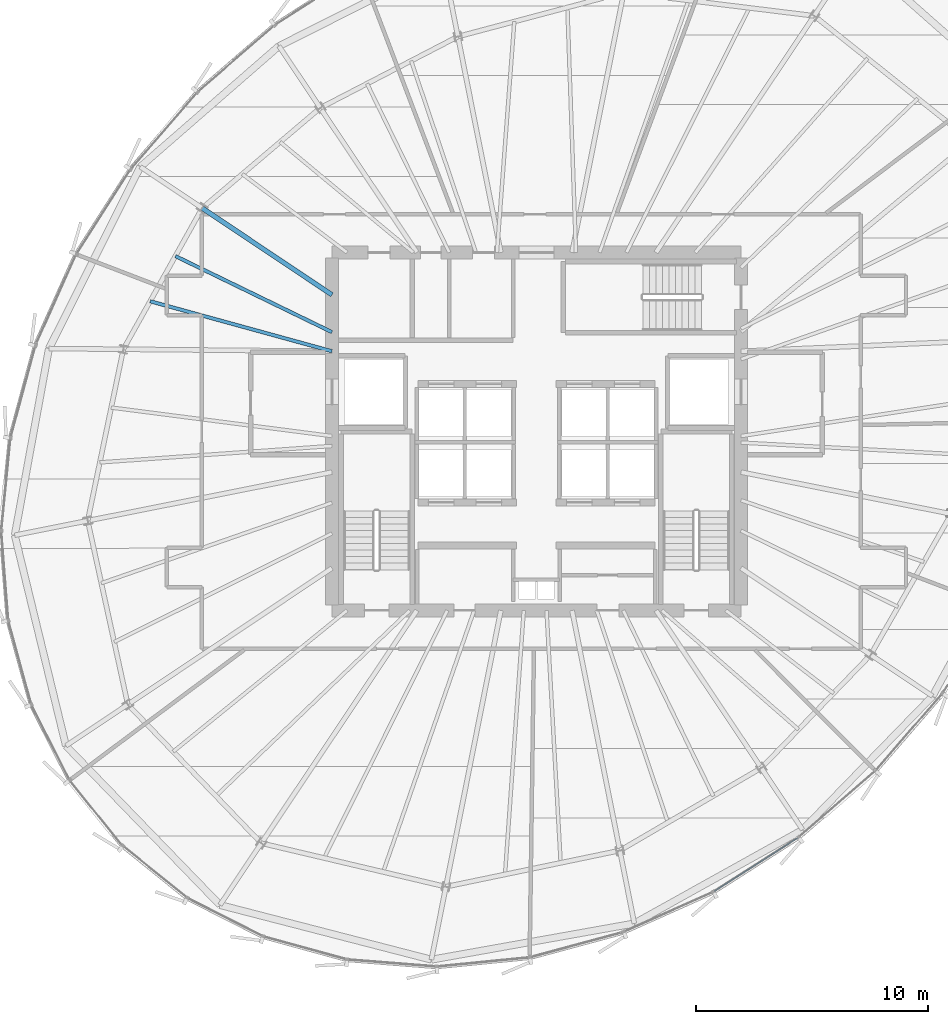
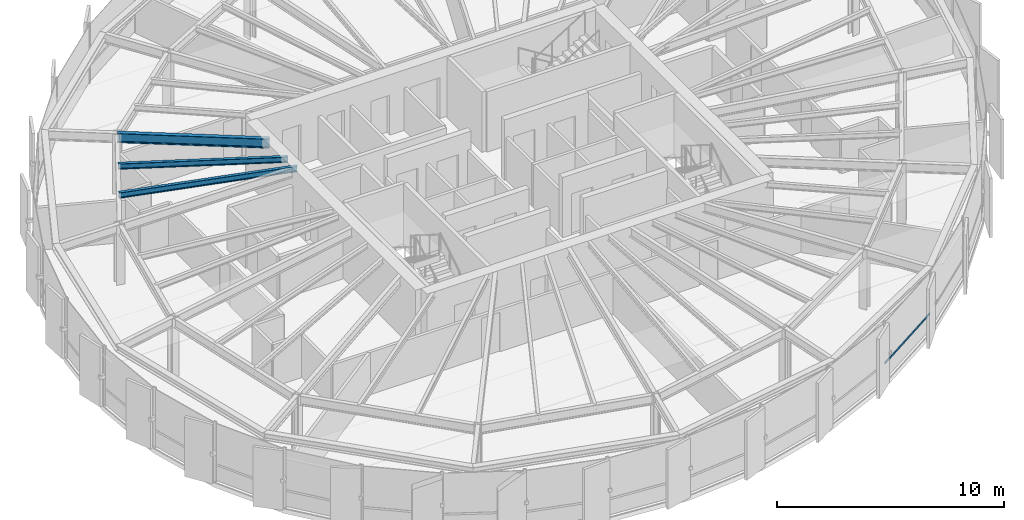
# One storey, part 11 of 34: 3 beams, 1 member, 1 element without a shape of its own.
"""IFC4 building model written with IfcOpenShell, lengths in metres."""

from ifc_helpers import new_model, si_unit, direction, frame, origin, origin_2d, place, context, subcontext, project, spatial, hollow_rectangle, i_section, extrude, source, transform, mapped, material, layer, layer_set, material_profile, profile_set, type_object, element, aggregate, save


model = new_model("IFC4")

# Units and contexts
model_context = context("Model", 3, precision=1e-05, world=origin(), true_north=direction((0.0, 1.0)))
body_context = subcontext(model_context, "Body", "Model", "MODEL_VIEW")
ifc_project = project(units=[si_unit("LENGTHUNIT", "METRE"), si_unit("AREAUNIT", "SQUARE_METRE"), si_unit("VOLUMEUNIT", "CUBIC_METRE"), si_unit("PLANEANGLEUNIT", "RADIAN"), si_unit("MASSUNIT", "GRAM", prefix="KILO"), si_unit("THERMODYNAMICTEMPERATUREUNIT", "KELVIN")], contexts=[model_context])

# Site, building, storey
site_placement = place(None, origin())
site = spatial("IfcSite", under=ifc_project, at=site_placement, CompositionType="ELEMENT")
building_placement = place(site_placement, origin())
building = spatial("IfcBuilding", under=site, at=building_placement, Name="Kethvar Cultural Tower", CompositionType="ELEMENT")
storey_placement = place(building_placement, frame((0.0, 0.0, 214.89990234375)))
storey = spatial("IfcBuildingStorey", under=building, at=storey_placement, Name="L56", CompositionType="ELEMENT", Elevation=214.89990234375)

# Beams
ifc_material_1 = material(Name="Steel S355J2", Category="steel")
ifc_material_profile_1 = material_profile(ifc_material_1, i_section(OverallWidth=0.199951171875, OverallDepth=0.5, WebThickness=0.01025390625, FlangeThickness=0.01611328125, FilletRadius=0.02099609375, at=origin_2d()), Name="Steel S355J2 — IPE500")
ifc_profile_set_1 = profile_set([ifc_material_profile_1], Name="Steel S355J2 — IPE500")
beam_type_1 = type_object("IfcBeamType", Name="BM-IPE500", PredefinedType="BEAM", material=ifc_profile_set_1)
shared_shape_1 = source(origin(), body_context, "Body", "SweptSolid", [
    extrude(i_section(OverallWidth=0.199951171875, OverallDepth=0.5, WebThickness=0.01025390625, FlangeThickness=0.01611328125, FilletRadius=0.02099609375, at=origin_2d()), origin(), (0.0, 0.0, 1.0), 6.713134765625),
])
beam_1_placement = place(storey_placement, frame((38.0, 33.679931640625, 2.988037109375), z_axis=(-0.831479157792, 0.55555594692, 0.0), x_axis=(-0.55555594692, -0.831479157792, 0.0)))
element("IfcBeam", 1, at=beam_1_placement, inside=storey, type_object=beam_type_1, Name="L56 Primary Radial Beam RB-07", PredefinedType="BEAM", context=body_context, shape_type="MappedRepresentation", body=[
    mapped(shared_shape_1, transform((0.0, 0.0, 0.0), scale=1.0)),
])
ifc_material_profile_2 = material_profile(ifc_material_1, i_section(OverallWidth=0.14990234375, OverallDepth=0.300048828125, WebThickness=0.007080078125, FlangeThickness=0.0107421875, FilletRadius=0.014892578125, at=origin_2d()), Name="Steel S355J2 — IPE300")
ifc_profile_set_2 = profile_set([ifc_material_profile_2], Name="Steel S355J2 — IPE300")
beam_type_2 = type_object("IfcBeamType", Name="BM-J300", PredefinedType="JOIST", material=ifc_profile_set_2)
shared_shape_2 = source(origin(), body_context, "Body", "SweptSolid", [
    extrude(i_section(OverallWidth=0.14990234375, OverallDepth=0.300048828125, WebThickness=0.007080078125, FlangeThickness=0.0107421875, FilletRadius=0.014892578125, at=origin_2d()), origin(), (0.0, 0.0, 1.0), 7.48779296875),
])
beam_2_placement = place(storey_placement, frame((38.0, 32.073486328125, 3.088134765625), z_axis=(-0.8995385432, 0.436841400623, 0.0), x_axis=(-0.436841400623, -0.8995385432, 0.0)))
element("IfcBeam", 2, at=beam_2_placement, inside=storey, type_object=beam_type_2, Name="L56 Composite Floor Joist J-07A", PredefinedType="JOIST", context=body_context, shape_type="MappedRepresentation", body=[
    mapped(shared_shape_2, transform((0.0, 0.0, 0.0), scale=1.0)),
])
shared_shape_3 = source(origin(), body_context, "Body", "SweptSolid", [
    extrude(i_section(OverallWidth=0.14990234375, OverallDepth=0.300048828125, WebThickness=0.007080078125, FlangeThickness=0.0107421875, FilletRadius=0.014892578125, at=origin_2d()), origin(), (0.0, 0.0, 1.0), 8.111572265625),
])
beam_3_placement = place(storey_placement, frame((38.0, 31.25, 3.088134765625), z_axis=(-0.96420462331, 0.265159281164, 0.0), x_axis=(-0.265159281164, -0.96420462331, 0.0)))
element("IfcBeam", 3, at=beam_3_placement, inside=storey, type_object=beam_type_2, Name="L56 Composite Floor Joist J-07B", PredefinedType="JOIST", context=body_context, shape_type="MappedRepresentation", body=[
    mapped(shared_shape_3, transform((0.0, 0.0, 0.0), scale=1.0)),
])

# Curtain wall, member
ifc_material_2 = material(Name="Aluminium 6063-T6", Category="aluminium")
ifc_layer = layer(ifc_material_2, 0.179931640625, Name="Aluminium 6063-T6", Category="aluminium")
ifc_layer_set = layer_set([ifc_layer], Name="Aluminium 6063-T6 (180 mm)")
curtain_wall_type = type_object("IfcCurtainWallType", Name="CW-SYS-04-Z34", PredefinedType="NOTDEFINED", material=ifc_layer_set)
curtain_wall_placement = place(storey_placement, origin())
curtain_wall = element("IfcCurtainWall", 4, at=curtain_wall_placement, inside=storey, type_object=curtain_wall_type, Name="L56 Curtain Wall Run 05", PredefinedType="NOTDEFINED")
ifc_material_profile_3 = material_profile(ifc_material_2, hollow_rectangle(XDim=0.050048828125, YDim=0.10009765625, WallThickness=0.00390625, at=origin_2d()), Name="Aluminium 6063-T6 — RHS100x50x4")
ifc_profile_set_3 = profile_set([ifc_material_profile_3], Name="Aluminium 6063-T6 — RHS100x50x4")
member_type = type_object("IfcMemberType", Name="CW-SYS-04-Z34-TRN", PredefinedType="USERDEFINED", material=ifc_profile_set_3)
shared_shape_4 = source(origin(), body_context, "Body", "SweptSolid", [
    extrude(hollow_rectangle(XDim=0.050048828125, YDim=0.10009765625, WallThickness=0.00390625, at=origin_2d()), origin(), (0.0, 0.0, 1.0), 4.276123046875),
])
member_placement = place(storey_placement, frame((54.44189453125, 8.010498046875, 0.9501953125), z_axis=(0.842321168795, 0.538975925807, 0.0), x_axis=(-0.538975925807, 0.842321168795, 0.0)))
member = element("IfcMember", 5, at=member_placement, type_object=member_type, Name="CW-L56-R05 Transom 2", ObjectType="TRANSOM", PredefinedType="USERDEFINED", context=body_context, shape_type="MappedRepresentation", body=[
    mapped(shared_shape_4, transform((0.0, 0.0, 0.0), scale=1.0)),
])
aggregate(curtain_wall, [member])

save(model, "model.ifc")
